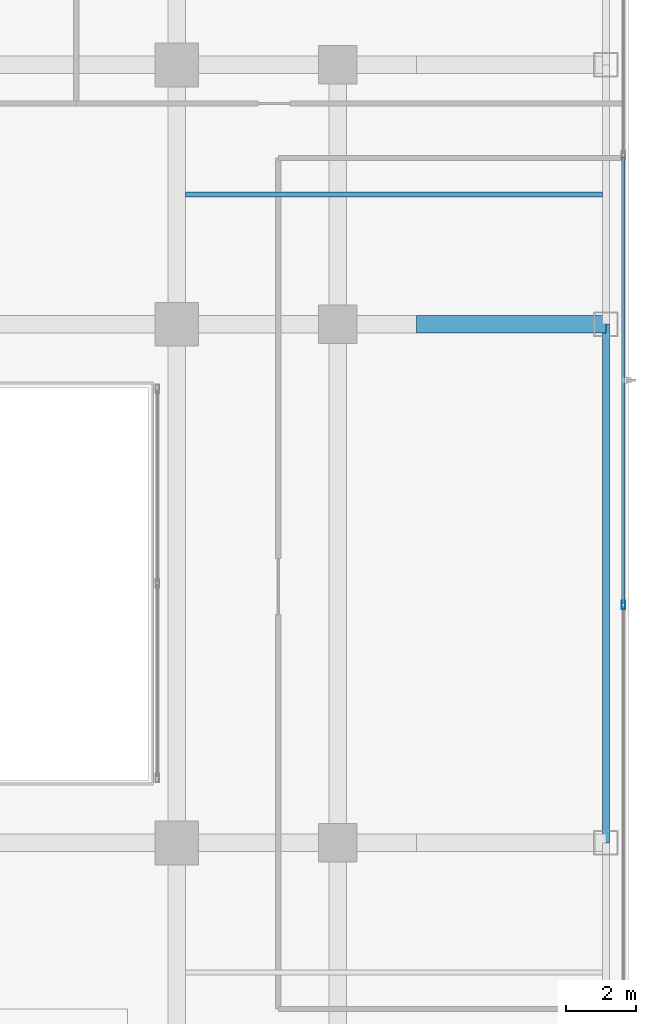
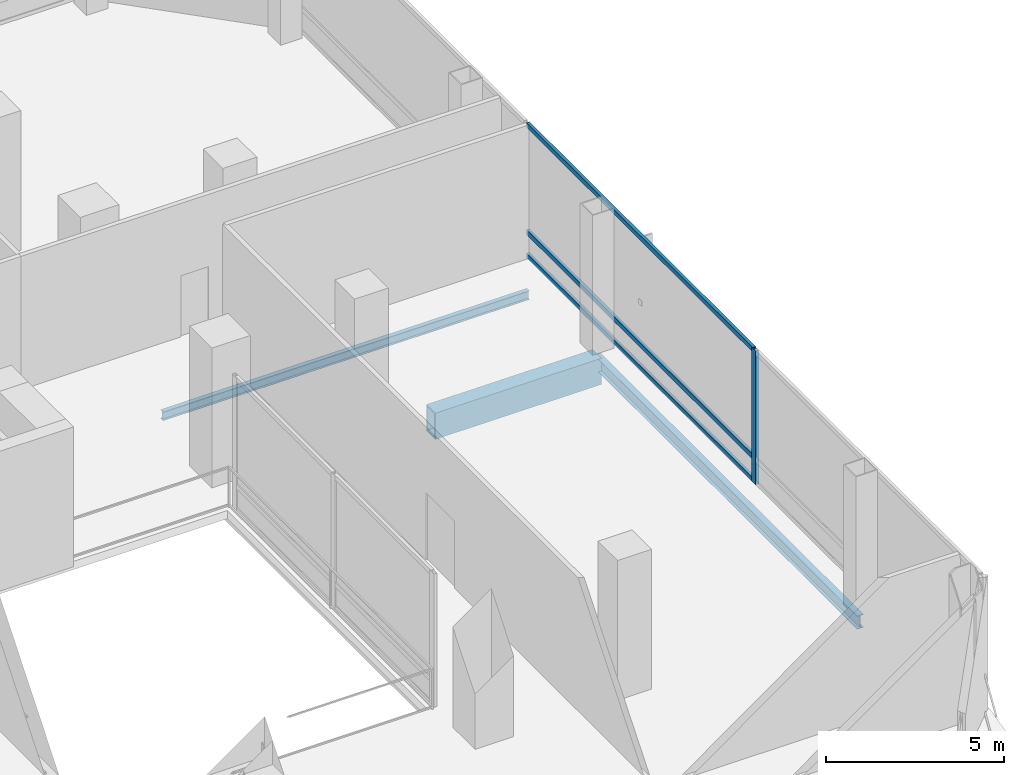
# One storey, part 12 of 28: 4 members, 3 beams, 1 element without a shape of its own.
"""IFC4 building model written with IfcOpenShell, lengths in metres."""

import ifcopenshell
import ifcopenshell.guid

model = None  # the IFC model being written
_history = None  # IfcOwnerHistory: only IFC2X3 demands one
_inside = {}  # id of a spatial element -> (the spatial element, [elements in it])
_under = {}  # id of a project, library or spatial element -> (it, [spatial elements below it])
_declared = {}  # id of a project -> (the project, [libraries it declares])
_typed = {}  # id of a type object -> (the type object, [elements of that type])
_made_of = {}  # id of a material, layer set ... -> (it, [elements and type objects made of it])


def new_model(schema):
    """Start an empty IFC model of exactly this schema.

    Asked for "IFC4X3", IfcOpenShell would pick the latest addendum, in which some entities
    have other attributes; the version numbers below select the first issue.
    IFC2X3 requires an IfcOwnerHistory on every rooted entity: one is made here for all.
    """
    global model, _history
    if schema == "IFC4X3":
        model = ifcopenshell.file(schema_version=(4, 3, 0, 0))
    else:
        model = ifcopenshell.file(schema=schema)
    _inside.clear()
    _under.clear()
    _declared.clear()
    _typed.clear()
    _made_of.clear()
    _history = None
    if model.schema == "IFC2X3":
        org = make("IfcOrganization", Name="unknown")
        user = make(
            "IfcPersonAndOrganization",
            ThePerson=make("IfcPerson", FamilyName="unknown"),
            TheOrganization=org,
        )
        app = make(
            "IfcApplication",
            ApplicationDeveloper=org,
            Version="unknown",
            ApplicationFullName="unknown",
            ApplicationIdentifier="unknown",
        )
        _history = make(
            "IfcOwnerHistory",
            OwningUser=user,
            OwningApplication=app,
            ChangeAction="ADDED",
            CreationDate=0,
        )
    return model


def make(cls, **values):
    """One entity of the class cls with the attributes given. An attribute that is None is left unset."""
    return model.create_entity(
        cls, **{name: value for name, value in values.items() if value is not None}
    )


def rooted(cls, **values):
    """An entity with a GlobalId (a new one), such as an element, a storey or a relation."""
    return make(cls, GlobalId=ifcopenshell.guid.new(), OwnerHistory=_history, **values)


def si_unit(unit_type, name, prefix=None):
    """IfcSIUnit, for example si_unit("LENGTHUNIT", "METRE", prefix="MILLI")."""
    return make("IfcSIUnit", UnitType=unit_type, Prefix=prefix, Name=name)


def assignment(units):
    """IfcUnitAssignment: the units of a project."""
    return None if units is None else make("IfcUnitAssignment", Units=units)


def point(xyz):
    """IfcCartesianPoint."""
    return None if xyz is None else make("IfcCartesianPoint", Coordinates=xyz)


def direction(xyz):
    """IfcDirection."""
    return None if xyz is None else make("IfcDirection", DirectionRatios=xyz)


def frame(location, z_axis=None, x_axis=None):
    """IfcAxis2Placement3D, a coordinate frame: its origin and axes. An axis left out is left unset."""
    return make(
        "IfcAxis2Placement3D",
        Location=point(location),
        Axis=direction(z_axis),
        RefDirection=direction(x_axis),
    )


def frame_2d(location, x_axis=None):
    """IfcAxis2Placement2D, a coordinate frame in the plane: its origin and x axis."""
    return make(
        "IfcAxis2Placement2D", Location=point(location), RefDirection=direction(x_axis)
    )


def origin():
    """The frame at (0, 0, 0) with its axes left unset."""
    return frame((0.0, 0.0, 0.0))


def origin_2d():
    """The frame at (0, 0) in the plane with its x axis left unset."""
    return frame_2d((0.0, 0.0))


def place(relative_to, where):
    """IfcLocalPlacement: puts the frame where relative to a parent placement (None: the world)."""
    return make(
        "IfcLocalPlacement", PlacementRelTo=relative_to, RelativePlacement=where
    )


def context(
    kind, dimensions, precision=None, world=None, true_north=None, identifier=None
):
    """IfcGeometricRepresentationContext, for example the 3D "Model" context."""
    return make(
        "IfcGeometricRepresentationContext",
        ContextIdentifier=identifier,
        ContextType=kind,
        CoordinateSpaceDimension=dimensions,
        Precision=precision,
        WorldCoordinateSystem=world,
        TrueNorth=true_north,
    )


def subcontext(parent, identifier, kind, view, scale=None):
    """IfcGeometricRepresentationSubContext, for example "Body" below "Model"."""
    return make(
        "IfcGeometricRepresentationSubContext",
        ContextIdentifier=identifier,
        ContextType=kind,
        ParentContext=parent,
        TargetScale=scale,
        TargetView=view,
    )


def project(units=None, contexts=None):
    """IfcProject with its units and contexts."""
    return rooted(
        "IfcProject",
        Name="project",
        RepresentationContexts=contexts,
        UnitsInContext=assignment(units),
    )


def spatial(cls, under=None, at=None, **own):
    """A site, building, storey or space (cls), placed at a placement, below another one or the project."""
    s = rooted(cls, ObjectPlacement=at, **own)
    if under is not None:
        _under.setdefault(under.id(), (under, []))[1].append(s)
    return s


def profile(cls, at=None, kind="AREA", **sizes):
    """A parametric profile (cls). Its sizes go by their IFC names, for example OverallWidth=200.0."""
    return make(cls, ProfileType=kind, Position=at, **sizes)


def hollow_rectangle(**sizes):
    """IfcRectangleHollowProfileDef."""
    return profile("IfcRectangleHollowProfileDef", **sizes)


def i_section(**sizes):
    """IfcIShapeProfileDef."""
    return profile("IfcIShapeProfileDef", **sizes)


def extrude(swept, where, along, depth):
    """IfcExtrudedAreaSolid: the profile swept, set in the frame where, extruded along a direction by depth."""
    return make(
        "IfcExtrudedAreaSolid",
        SweptArea=swept,
        Position=where,
        ExtrudedDirection=direction(along),
        Depth=depth,
    )


def shape(context_of_items, identifier, shape_type, items):
    """IfcShapeRepresentation: the items that make up one representation, for example the "Body"."""
    return make(
        "IfcShapeRepresentation",
        ContextOfItems=context_of_items,
        RepresentationIdentifier=identifier,
        RepresentationType=shape_type,
        Items=items,
    )


def material(Name=None, Category=None):
    """IfcMaterial."""
    return make("IfcMaterial", Name=Name, Category=Category)


def layer(
    of_material, thickness, ventilated=None, Name=None, Category=None, Priority=None
):
    """IfcMaterialLayer: one layer of a wall or slab, of a material (None: an air gap)."""
    return make(
        "IfcMaterialLayer",
        Material=of_material,
        LayerThickness=thickness,
        IsVentilated=ventilated,
        Name=Name,
        Category=Category,
        Priority=Priority,
    )


def layer_set(layers, Name=None):
    """IfcMaterialLayerSet."""
    return make("IfcMaterialLayerSet", MaterialLayers=layers, LayerSetName=Name)


def material_profile(
    of_material, cross_section, Name=None, Category=None, Priority=None
):
    """IfcMaterialProfile: a cross section and its material."""
    return make(
        "IfcMaterialProfile",
        Name=Name,
        Material=of_material,
        Profile=cross_section,
        Priority=Priority,
        Category=Category,
    )


def profile_set(profiles, Name=None, composite=None):
    """IfcMaterialProfileSet."""
    return make(
        "IfcMaterialProfileSet",
        Name=Name,
        MaterialProfiles=profiles,
        CompositeProfile=composite,
    )


def made_of(thing, what):
    """Note that an element or type object is made of a material, layer set ...; save() writes the relation."""
    if what is not None:
        _made_of.setdefault(what.id(), (what, []))[1].append(thing)
    return thing


def type_object(cls, material=None, **own):
    """A type object (cls), such as IfcWallType, which elements share."""
    return made_of(rooted(cls, **own), material)


def element(
    cls,
    number,
    at=None,
    inside=None,
    cuts=None,
    type_object=None,
    material=None,
    context=None,
    identifier="Body",
    shape_type=None,
    held_by="IfcProductDefinitionShape",
    body=None,
    shapes=None,
    **own,
):
    """One element of the class cls, such as IfcWall. Its Tag is "e" and its number.

    at: its placement. inside: the storey or other place that contains it. cuts: it is an
    opening in that element (IfcRelVoidsElement). A single representation is given by context,
    identifier, shape_type and body (its items); several are given by shapes. held_by: the class
    of the entity that holds the representations. save() writes the other relations.
    """
    e = rooted(cls, Tag="e%d" % number, ObjectPlacement=at, **own)
    if body is not None:
        shapes = [shape(context, identifier, shape_type, body)]
    if shapes is not None:
        e.Representation = make(held_by, Representations=shapes)
    if inside is not None:
        _inside.setdefault(inside.id(), (inside, []))[1].append(e)
    if cuts is not None:
        rooted(
            "IfcRelVoidsElement", RelatingBuildingElement=cuts, RelatedOpeningElement=e
        )
    if type_object is not None:
        _typed.setdefault(type_object.id(), (type_object, []))[1].append(e)
    return made_of(e, material)


def aggregate(whole, parts):
    """IfcRelAggregates: a whole, such as a stair, and the parts it consists of."""
    return rooted("IfcRelAggregates", RelatingObject=whole, RelatedObjects=parts)


def save(model, path):
    """Write the relations noted so far, then the file.

    IfcRelAggregates (storeys below a building ...), IfcRelContainedInSpatialStructure (elements
    in a storey), IfcRelDefinesByType, IfcRelAssociatesMaterial and IfcRelDeclares: one each for
    every whole, place, type object, material and project.
    """
    for whole, parts in _under.values():
        aggregate(whole, parts)
    for where, things in _inside.values():
        rooted(
            "IfcRelContainedInSpatialStructure",
            RelatedElements=things,
            RelatingStructure=where,
        )
    for kind, things in _typed.values():
        rooted("IfcRelDefinesByType", RelatedObjects=things, RelatingType=kind)
    for what, things in _made_of.values():
        rooted("IfcRelAssociatesMaterial", RelatedObjects=things, RelatingMaterial=what)
    for by, libraries in _declared.values():
        rooted("IfcRelDeclares", RelatingContext=by, RelatedDefinitions=libraries)
    model.write(path)


model = new_model("IFC4")

# Units and contexts
model_context = context("Model", 3, precision=1e-05, world=origin(), true_north=direction((0.0, 1.0)))
body_context = subcontext(model_context, "Body", "Model", "MODEL_VIEW")
ifc_project = project(units=[si_unit("LENGTHUNIT", "METRE"), si_unit("AREAUNIT", "SQUARE_METRE"), si_unit("VOLUMEUNIT", "CUBIC_METRE"), si_unit("PLANEANGLEUNIT", "RADIAN"), si_unit("MASSUNIT", "GRAM", prefix="KILO")], contexts=[model_context])

# Site, building, storey
site_placement = place(None, origin())
site = spatial("IfcSite", under=ifc_project, at=site_placement, CompositionType="ELEMENT")
building_placement = place(site_placement, origin())
building = spatial("IfcBuilding", under=site, at=building_placement, Name="Khorvyn Point Tower", CompositionType="ELEMENT")
storey_placement = place(building_placement, frame((0.0, 0.0, 108.60009765625)))
storey = spatial("IfcBuildingStorey", under=building, at=storey_placement, Name="L27", CompositionType="ELEMENT", Elevation=108.60009765625)

# Curtain wall, members
ifc_material_1 = material(Name="Anodised aluminium 6063-T6 and laminated Low-E glass", Category="aluminium")
ifc_layer = layer(ifc_material_1, 0.18994140625)
ifc_layer_set = layer_set([ifc_layer], Name="Stick-Built Sky-Lobby Curtain Wall CW-SYS-05")
curtain_wall_type = type_object("IfcCurtainWallType", Name="Stick-Built Sky-Lobby Curtain Wall CW-SYS-05", PredefinedType="NOTDEFINED", material=ifc_layer_set)
curtain_wall_placement = place(storey_placement, origin())
curtain_wall = element("IfcCurtainWall", 1, at=curtain_wall_placement, inside=storey, type_object=curtain_wall_type, Name="Curtain Wall", PredefinedType="NOTDEFINED")
ifc_material_2 = material(Name="Anodised aluminium 6063-T6", Category="aluminium")
ifc_material_profile_1 = material_profile(ifc_material_2, hollow_rectangle(XDim=0.10009765625, YDim=0.239990234375, WallThickness=0.0048828125, at=origin_2d()))
ifc_profile_set_1 = profile_set([ifc_material_profile_1], Name="Anodised aluminium 6063-T6 ALU-MUL-100x240")
member_type_1 = type_object("IfcMemberType", Name="Anodised Aluminium 6063-T6 Mullion ALU-MUL-100x240", PredefinedType="MULLION", material=ifc_profile_set_1)
member_1_placement = place(storey_placement, frame((27.550048828125, -0.61669921875, 0.0), z_axis=(0.0, 0.0, 1.0), x_axis=(1.0, 0.0, 0.0)))
member_1 = element("IfcMember", 2, at=member_1_placement, type_object=member_type_1, Name="Transom", PredefinedType="MULLION", context=body_context, shape_type="SweptSolid", body=[
    extrude(hollow_rectangle(XDim=0.10009765625, YDim=0.239990234375, WallThickness=0.0048828125, at=origin_2d()), origin(), (0.0, 0.0, 1.0), 4.579833984375),
])
ifc_material_profile_2 = material_profile(ifc_material_2, hollow_rectangle(XDim=0.10009765625, YDim=0.159912109375, WallThickness=0.00439453125, at=origin_2d()))
ifc_profile_set_2 = profile_set([ifc_material_profile_2], Name="Anodised aluminium 6063-T6 ALU-TRN-100x160")
member_type_2 = type_object("IfcMemberType", Name="Anodised Aluminium 6063-T6 Transom ALU-TRN-100x160", PredefinedType="USERDEFINED", material=ifc_profile_set_2)
member_2_placement = place(storey_placement, frame((27.550048828125, 12.166748046875, 0.0498046875), z_axis=(0.0, -1.0, 0.0), x_axis=(1.0, 0.0, 0.0)))
member_2 = element("IfcMember", 3, at=member_2_placement, type_object=member_type_2, Name="Transom", ObjectType="TRANSOM", PredefinedType="USERDEFINED", context=body_context, shape_type="SweptSolid", body=[
    extrude(hollow_rectangle(XDim=0.10009765625, YDim=0.159912109375, WallThickness=0.00439453125, at=origin_2d()), origin(), (0.0, 0.0, 1.0), 12.7333984375),
])
member_3_placement = place(storey_placement, frame((27.550048828125, 12.166748046875, 0.849853515625), z_axis=(0.0, -1.0, 0.0), x_axis=(1.0, 0.0, 0.0)))
member_3 = element("IfcMember", 4, at=member_3_placement, type_object=member_type_2, Name="Transom", ObjectType="TRANSOM", PredefinedType="USERDEFINED", context=body_context, shape_type="SweptSolid", body=[
    extrude(hollow_rectangle(XDim=0.10009765625, YDim=0.159912109375, WallThickness=0.00439453125, at=origin_2d()), origin(), (0.0, 0.0, 1.0), 12.7333984375),
])
member_4_placement = place(storey_placement, frame((27.550048828125, 12.166748046875, 4.52978515625), z_axis=(0.0, -1.0, 0.0), x_axis=(1.0, 0.0, 0.0)))
member_4 = element("IfcMember", 5, at=member_4_placement, type_object=member_type_2, Name="Transom", ObjectType="TRANSOM", PredefinedType="USERDEFINED", context=body_context, shape_type="SweptSolid", body=[
    extrude(hollow_rectangle(XDim=0.10009765625, YDim=0.159912109375, WallThickness=0.00439453125, at=origin_2d()), origin(), (0.0, 0.0, 1.0), 12.7333984375),
])
aggregate(curtain_wall, [member_1, member_2, member_3, member_4])

# Beams
ifc_material_3 = material(Name="Steel S355", Category="steel")
ifc_material_profile_3 = material_profile(ifc_material_3, i_section(OverallWidth=0.14990234375, OverallDepth=0.300048828125, WebThickness=0.006591796875, FlangeThickness=0.009033203125, at=origin_2d()))
ifc_profile_set_3 = profile_set([ifc_material_profile_3], Name="Steel S355 H300x150x6.5x9")
beam_type_1 = type_object("IfcBeamType", Name="Steel S355 Joist H300x150x6.5x9", PredefinedType="JOIST", material=ifc_profile_set_3)
beam_1_placement = place(storey_placement, frame((15.050048828125, 11.10009765625, -0.43017578125), z_axis=(1.0, 0.0, 0.0), x_axis=(0.0, 1.0, 0.0)))
element("IfcBeam", 6, at=beam_1_placement, inside=storey, type_object=beam_type_1, Name="Beam", PredefinedType="JOIST", context=body_context, shape_type="SweptSolid", body=[
    extrude(i_section(OverallWidth=0.14990234375, OverallDepth=0.300048828125, WebThickness=0.006591796875, FlangeThickness=0.009033203125, at=origin_2d()), origin(), (0.0, 0.0, 1.0), 11.89990234375),
])
ifc_material_profile_4 = material_profile(ifc_material_3, i_section(OverallWidth=0.199951171875, OverallDepth=0.449951171875, WebThickness=0.009033203125, FlangeThickness=0.013916015625, at=origin_2d()))
ifc_profile_set_4 = profile_set([ifc_material_profile_4], Name="Steel S355 H450x200x9x14")
beam_type_2 = type_object("IfcBeamType", Name="Steel S355 Spandrel H450x200x9x14", PredefinedType="SPANDREL", material=ifc_profile_set_4)
beam_2_placement = place(storey_placement, frame((27.050048828125, -7.39990234375, -0.505126953125), z_axis=(0.0, 1.0, 0.0), x_axis=(-1.0, 0.0, 0.0)))
element("IfcBeam", 7, at=beam_2_placement, inside=storey, type_object=beam_type_2, Name="Beam", PredefinedType="SPANDREL", context=body_context, shape_type="SweptSolid", body=[
    extrude(i_section(OverallWidth=0.199951171875, OverallDepth=0.449951171875, WebThickness=0.009033203125, FlangeThickness=0.013916015625, at=origin_2d()), origin(), (0.0, 0.0, 1.0), 14.7998046875),
])
ifc_material_4 = material(Name="Steel S450", Category="steel")
ifc_material_profile_5 = material_profile(ifc_material_4, hollow_rectangle(XDim=0.5, YDim=0.89990234375, WallThickness=0.0400390625, at=origin_2d()))
ifc_profile_set_5 = profile_set([ifc_material_profile_5], Name="Steel S450 BOX900x500x40")
beam_type_3 = type_object("IfcBeamType", Name="Steel S450 Beam BOX900x500x40", PredefinedType="BEAM", material=ifc_profile_set_5)
beam_3_placement = place(storey_placement, frame((21.64990234375, 7.39990234375, -0.72998046875), z_axis=(1.0, 0.0, 0.0), x_axis=(0.0, 1.0, 0.0)))
element("IfcBeam", 8, at=beam_3_placement, inside=storey, type_object=beam_type_3, Name="Beam", PredefinedType="BEAM", context=body_context, shape_type="SweptSolid", body=[
    extrude(hollow_rectangle(XDim=0.5, YDim=0.89990234375, WallThickness=0.0400390625, at=origin_2d()), origin(), (0.0, 0.0, 1.0), 5.400146484375),
])

save(model, "model.ifc")
